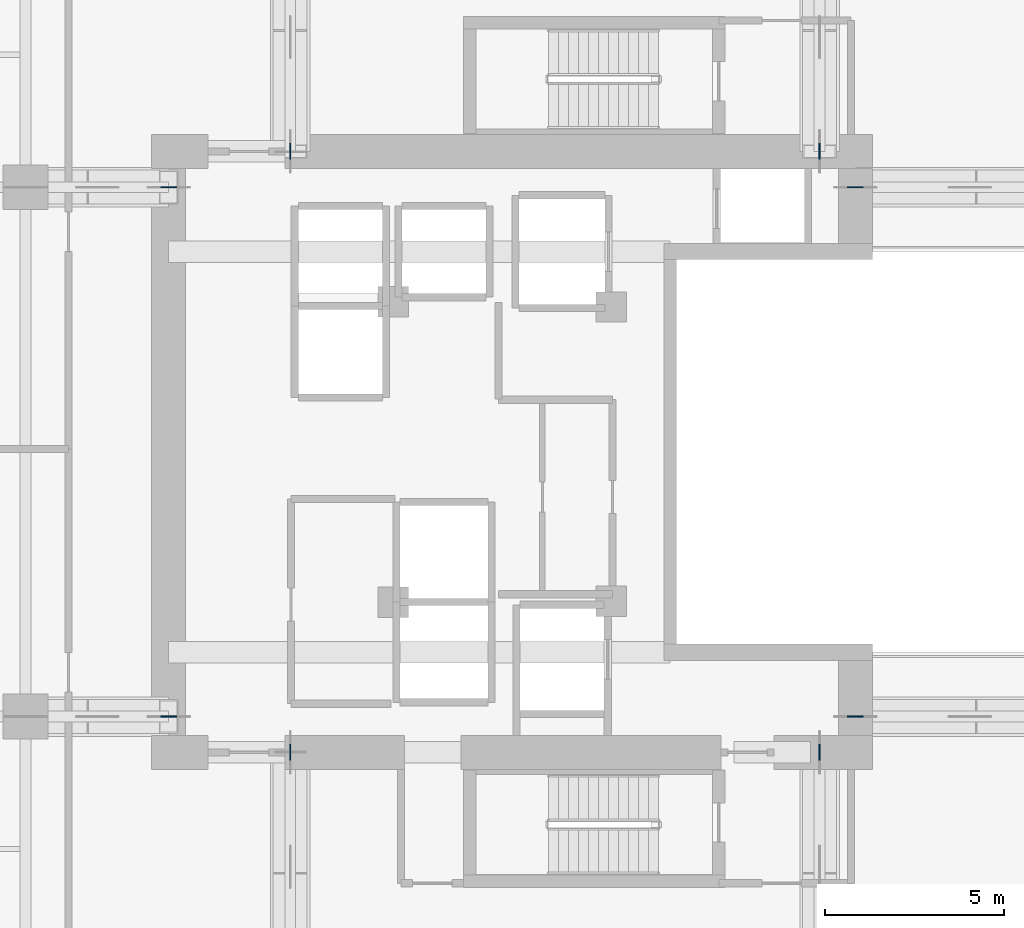
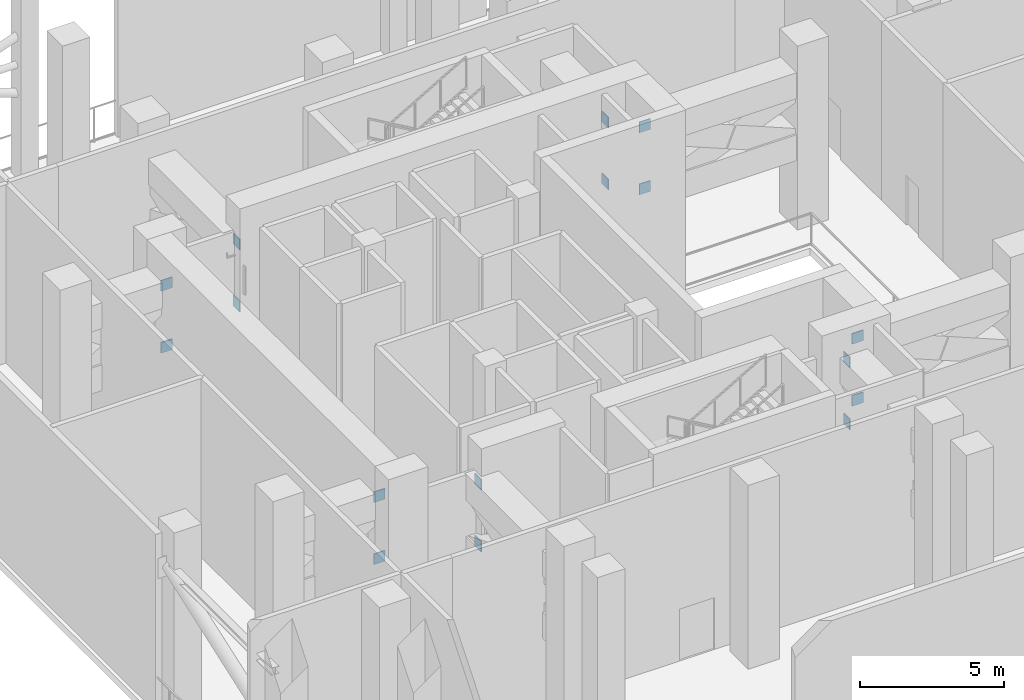
# One storey, part 7 of 10: 16 discrete accessories.
"""IFC4 building model written with IfcOpenShell, lengths in metres."""

from ifc_helpers import new_model, si_unit, direction, frame, origin, origin_2d, place, context, subcontext, project, spatial, rectangle, extrude, material, type_object, element, save


model = new_model("IFC4")

# Units and contexts
model_context = context("Model", 3, precision=1e-05, world=origin(), true_north=direction((0.0, 1.0)))
body_context = subcontext(model_context, "Body", "Model", "MODEL_VIEW")
ifc_project = project(units=[si_unit("LENGTHUNIT", "METRE"), si_unit("AREAUNIT", "SQUARE_METRE"), si_unit("VOLUMEUNIT", "CUBIC_METRE"), si_unit("PLANEANGLEUNIT", "RADIAN"), si_unit("MASSUNIT", "GRAM", prefix="KILO")], contexts=[model_context])

# Site, building, storey
site_placement = place(None, origin())
site = spatial("IfcSite", under=ifc_project, at=site_placement, CompositionType="ELEMENT")
building_placement = place(site_placement, origin())
building = spatial("IfcBuilding", under=site, at=building_placement, Name="Khorvyn Point Tower", CompositionType="ELEMENT")
storey_placement = place(building_placement, frame((0.0, 0.0, 156.300048828125)))
storey = spatial("IfcBuildingStorey", under=building, at=storey_placement, Name="L39", CompositionType="ELEMENT", Elevation=156.300048828125)

# Discrete accessories
ifc_material = material(Name="Steel S355", Category="steel")
discrete_accessory_type = type_object("IfcDiscreteAccessoryType", Name="Steel S355 Outrigger Core Embedment Anchor Plate 40", PredefinedType="BRACKET", material=ifc_material)
for number, where, z_axis, x_axis, name in (
    (1, (-10.800048828125, -7.39990234375, 3.22509765625), (0.0, 0.0, 1.0), (1.0, 0.0, 0.0), "L39 Outrigger Core Embedment Anchor Plate WSB"),
    (2, (-10.800048828125, -7.39990234375, 5.85498046875), (0.0, 0.0, 1.0), (1.0, 0.0, 0.0), "L39 Outrigger Core Embedment Anchor Plate WST"),
    (3, (-10.800048828125, 7.39990234375, 3.22509765625), (0.0, 0.0, 1.0), (1.0, 0.0, 0.0), "L39 Outrigger Core Embedment Anchor Plate WNB"),
    (4, (-10.800048828125, 7.39990234375, 5.85498046875), (0.0, 0.0, 1.0), (1.0, 0.0, 0.0), "L39 Outrigger Core Embedment Anchor Plate WNT"),
    (5, (8.39990234375, -7.39990234375, 3.22509765625), (0.0, 0.0, 1.0), (1.0, 0.0, 0.0), "L39 Outrigger Core Embedment Anchor Plate ESB"),
    (6, (8.39990234375, -7.39990234375, 5.85498046875), (0.0, 0.0, 1.0), (1.0, 0.0, 0.0), "L39 Outrigger Core Embedment Anchor Plate EST"),
    (7, (8.39990234375, 7.39990234375, 3.22509765625), (0.0, 0.0, 1.0), (1.0, 0.0, 0.0), "L39 Outrigger Core Embedment Anchor Plate ENB"),
    (8, (8.39990234375, 7.39990234375, 5.85498046875), (0.0, 0.0, 1.0), (1.0, 0.0, 0.0), "L39 Outrigger Core Embedment Anchor Plate ENT"),
):
    element("IfcDiscreteAccessory", number, at=place(storey_placement, frame(where, z_axis=z_axis, x_axis=x_axis)), inside=storey, type_object=discrete_accessory_type, Name=name, PredefinedType="BRACKET", context=body_context, shape_type="SweptSolid", body=[
        extrude(rectangle(XDim=0.449951171875, YDim=0.0400390625, at=origin_2d()), origin(), (0.0, 0.0, 1.0), 0.449951171875),
    ])
for number, where, z_axis, x_axis, name in (
    (9, (-7.39990234375, -8.39990234375, 3.22509765625), (0.0, 0.0, 1.0), (1.0, 0.0, 0.0), "L39 Outrigger Core Embedment Anchor Plate SWB"),
    (10, (-7.39990234375, -8.39990234375, 5.85498046875), (0.0, 0.0, 1.0), (1.0, 0.0, 0.0), "L39 Outrigger Core Embedment Anchor Plate SWT"),
    (11, (7.39990234375, -8.39990234375, 3.22509765625), (0.0, 0.0, 1.0), (1.0, 0.0, 0.0), "L39 Outrigger Core Embedment Anchor Plate SEB"),
    (12, (7.39990234375, -8.39990234375, 5.85498046875), (0.0, 0.0, 1.0), (1.0, 0.0, 0.0), "L39 Outrigger Core Embedment Anchor Plate SET"),
    (13, (-7.39990234375, 8.39990234375, 3.22509765625), (0.0, 0.0, 1.0), (1.0, 0.0, 0.0), "L39 Outrigger Core Embedment Anchor Plate NWB"),
    (14, (-7.39990234375, 8.39990234375, 5.85498046875), (0.0, 0.0, 1.0), (1.0, 0.0, 0.0), "L39 Outrigger Core Embedment Anchor Plate NWT"),
    (15, (7.39990234375, 8.39990234375, 3.22509765625), (0.0, 0.0, 1.0), (1.0, 0.0, 0.0), "L39 Outrigger Core Embedment Anchor Plate NEB"),
    (16, (7.39990234375, 8.39990234375, 5.85498046875), (0.0, 0.0, 1.0), (1.0, 0.0, 0.0), "L39 Outrigger Core Embedment Anchor Plate NET"),
):
    element("IfcDiscreteAccessory", number, at=place(storey_placement, frame(where, z_axis=z_axis, x_axis=x_axis)), inside=storey, type_object=discrete_accessory_type, Name=name, PredefinedType="BRACKET", context=body_context, shape_type="SweptSolid", body=[
        extrude(rectangle(XDim=0.0400390625, YDim=0.449951171875, at=origin_2d()), origin(), (0.0, 0.0, 1.0), 0.449951171875),
    ])

save(model, "model.ifc")
